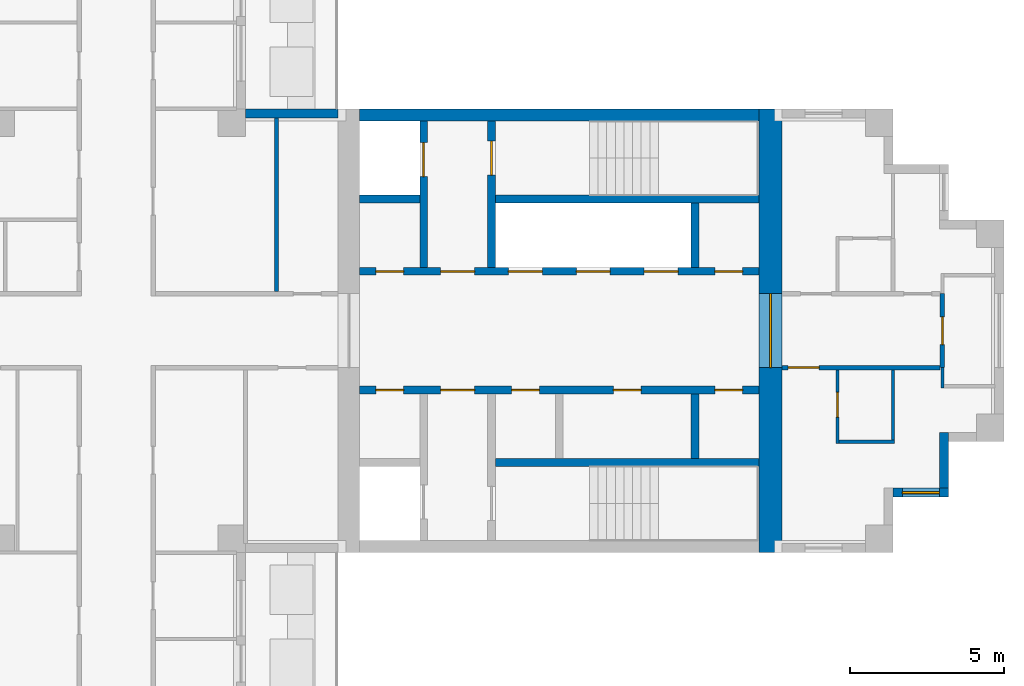
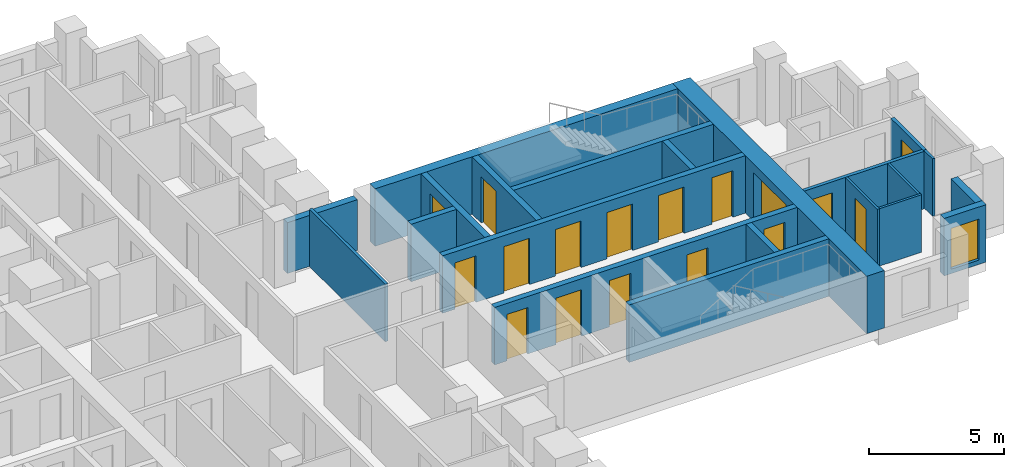
# One storey, part 6 of 10: 21 walls, 17 doors, 1 window, 18 openings.
"""IFC4 building model written with IfcOpenShell, lengths in metres."""

from ifc_helpers import new_model, si_unit, direction, frame, frame_2d, origin, place, context, subcontext, project, spatial, rectangle, extrude, material, layer, layer_set, type_object, element, fill, save


model = new_model("IFC4")

# Units and contexts
model_context = context("Model", 3, precision=1e-05, world=origin(), true_north=direction((0.0, 1.0)))
body_context = subcontext(model_context, "Body", "Model", "MODEL_VIEW")
ifc_project = project(units=[si_unit("LENGTHUNIT", "METRE"), si_unit("AREAUNIT", "SQUARE_METRE"), si_unit("VOLUMEUNIT", "CUBIC_METRE"), si_unit("PLANEANGLEUNIT", "RADIAN"), si_unit("MASSUNIT", "GRAM", prefix="KILO")], contexts=[model_context])

# Site, building, storey
site_placement = place(None, origin())
site = spatial("IfcSite", under=ifc_project, at=site_placement, CompositionType="ELEMENT")
building_placement = place(site_placement, origin())
building = spatial("IfcBuilding", under=site, at=building_placement, Name="Fustian Cross Tower", CompositionType="ELEMENT")
storey_placement = place(building_placement, frame((0.0, 0.0, 231.89990234375)))
storey = spatial("IfcBuildingStorey", under=building, at=storey_placement, Name="L73", CompositionType="ELEMENT", Elevation=231.89990234375)

# Wall, opening, door
ifc_material_1 = material(Name="Plasterboard on steel stud", Category="steel")
ifc_layer_1 = layer(ifc_material_1, 0.14990234375)
ifc_layer_set_1 = layer_set([ifc_layer_1], Name="Plasterboard on steel stud")
wall_type_1 = type_object("IfcWallType", Name="COMPARTMENT WALL 150 EI 60", PredefinedType="PARTITIONING", material=ifc_layer_set_1)
wall_1_placement = place(storey_placement, frame((21.60009765625, -1.199951171875, 0.0), z_axis=(0.0, 0.0, 1.0), x_axis=(1.0, 0.0, 0.0)))
wall_1 = element("IfcWall", 1, at=wall_1_placement, inside=storey, type_object=wall_type_1, Name="Partition 61", PredefinedType="PARTITIONING", context=body_context, shape_type="SweptSolid", body=[
    extrude(rectangle(XDim=5.125, YDim=0.14990234375, at=frame_2d((2.5625, 0.0))), origin(), (0.0, 0.0, 1.0), 2.60009765625),
])
opening_1_placement = place(wall_1_placement, frame((0.199951171875, 0.0, 0.0)))
opening_1 = element("IfcOpeningElement", 2, at=opening_1_placement, cuts=wall_1, Name="Opening D33016", PredefinedType="OPENING", context=body_context, shape_type="SweptSolid", body=[
    extrude(rectangle(XDim=1.0, YDim=2.10009765625, at=frame_2d((0.5, 1.050048828125))), frame((0.0, 0.0849609375, 0.0), z_axis=(0.0, -1.0, 0.0), x_axis=(1.0, 0.0, 0.0)), (0.0, 0.0, 1.0), 0.169921875),
])
ifc_material_2 = material(Name="Timber fire door set", Category="wood")
door_type_1 = type_object("IfcDoorType", Name="FIRE SWING DOOR 1000 FD30S", OperationType="SINGLE_SWING_LEFT", PredefinedType="DOOR", material=ifc_material_2)
door_1_placement = place(opening_1_placement, frame((1.0, 0.0, 0.0), z_axis=(0.0, 0.0, 1.0), x_axis=(-1.0, 0.0, 0.0)))
door_1 = element("IfcDoor", 3, at=door_1_placement, inside=storey, type_object=door_type_1, Name="Door D33016", OperationType="SINGLE_SWING_RIGHT", OverallHeight=2.10009765625, OverallWidth=1.0, PredefinedType="DOOR", context=body_context, shape_type="SweptSolid", body=[
    extrude(rectangle(XDim=1.0, YDim=2.10009765625, at=frame_2d((0.5, 1.050048828125))), frame((0.0, 0.02490234375, 0.0), z_axis=(0.0, -1.0, 0.0), x_axis=(1.0, 0.0, 0.0)), (0.0, 0.0, 1.0), 0.050048828125),
])
fill(opening_1, door_1)

wall_2_placement = place(storey_placement, frame((26.800048828125, -1.199951171875, 0.0), z_axis=(0.0, 0.0, 1.0), x_axis=(0.0, 1.0, 0.0)))
wall_2 = element("IfcWall", 4, at=wall_2_placement, inside=storey, type_object=wall_type_1, Name="Partition 72", PredefinedType="PARTITIONING", context=body_context, shape_type="SweptSolid", body=[
    extrude(rectangle(XDim=2.39990234375, YDim=0.14990234375, at=frame_2d((1.199951171875, 0.0))), origin(), (0.0, 0.0, 1.0), 2.60009765625),
])
opening_2_placement = place(wall_2_placement, frame((0.75, 0.0, 0.0)))
opening_2 = element("IfcOpeningElement", 5, at=opening_2_placement, cuts=wall_2, Name="Opening D33011", PredefinedType="OPENING", context=body_context, shape_type="SweptSolid", body=[
    extrude(rectangle(XDim=0.89990234375, YDim=2.10009765625, at=frame_2d((0.449951171875, 1.050048828125))), frame((0.0, 0.0849609375, 0.0), z_axis=(0.0, -1.0, 0.0), x_axis=(1.0, 0.0, 0.0)), (0.0, 0.0, 1.0), 0.169921875),
])
ifc_material_3 = material(Name="Timber fire door set", Category="wood")
door_type_2 = type_object("IfcDoorType", Name="FIRE SWING DOOR 900 FD30S", OperationType="SINGLE_SWING_LEFT", PredefinedType="DOOR", material=ifc_material_3)
door_2_placement = place(opening_2_placement, frame((0.89990234375, 0.0, 0.0), z_axis=(0.0, 0.0, 1.0), x_axis=(-1.0, 0.0, 0.0)))
door_2 = element("IfcDoor", 6, at=door_2_placement, inside=storey, type_object=door_type_2, Name="Door D33011", OperationType="SINGLE_SWING_RIGHT", OverallHeight=2.10009765625, OverallWidth=0.89990234375, PredefinedType="DOOR", context=body_context, shape_type="SweptSolid", body=[
    extrude(rectangle(XDim=0.89990234375, YDim=2.10009765625, at=frame_2d((0.449951171875, 1.050048828125))), frame((0.0, 0.02490234375, 0.0), z_axis=(0.0, -1.0, 0.0), x_axis=(1.0, 0.0, 0.0)), (0.0, 0.0, 1.0), 0.050048828125),
])
fill(opening_2, door_2)

ifc_material_4 = material(Name="Concrete C50/60", Category="concrete")
ifc_layer_2 = layer(ifc_material_4, 0.75)
ifc_layer_set_2 = layer_set([ifc_layer_2], Name="Concrete C50/60")
wall_type_2 = type_object("IfcWallType", Name="CORE END WALL 750 C50/60", PredefinedType="SHEAR", material=ifc_layer_set_2)
wall_3_placement = place(storey_placement, frame((21.22509765625, -7.199951171875, 0.0), z_axis=(0.0, 0.0, 1.0), x_axis=(0.0, 1.0, 0.0)))
wall_3 = element("IfcWall", 7, at=wall_3_placement, inside=storey, type_object=wall_type_2, Name="Core end wall", PredefinedType="SHEAR", context=body_context, shape_type="SweptSolid", body=[
    extrude(rectangle(XDim=14.39990234375, YDim=0.75, at=frame_2d((7.199951171875, 0.0))), origin(), (0.0, 0.0, 1.0), 2.60009765625),
])
opening_3_placement = place(wall_3_placement, frame((6.0, 0.0, 0.0)))
opening_3 = element("IfcOpeningElement", 8, at=opening_3_placement, cuts=wall_3, Name="Opening CD-28-13", PredefinedType="OPENING", context=body_context, shape_type="SweptSolid", body=[
    extrude(rectangle(XDim=2.39990234375, YDim=2.199951171875, at=frame_2d((1.199951171875, 1.10009765625))), frame((0.0, 0.385009765625, 0.0), z_axis=(0.0, -1.0, 0.0), x_axis=(1.0, 0.0, 0.0)), (0.0, 0.0, 1.0), 0.77001953125),
])
ifc_material_5 = material(Name="Steel", Category="steel")
door_type_3 = type_object("IfcDoorType", Name="FIRE DOOR FD30S DOUBLE 2400X2200", OperationType="DOUBLE_DOOR_DOUBLE_SWING", PredefinedType="DOOR", material=ifc_material_5)
door_3_placement = place(opening_3_placement, origin())
door_3 = element("IfcDoor", 9, at=door_3_placement, inside=storey, type_object=door_type_3, Name="Core door CD-28-13", OperationType="DOUBLE_DOOR_DOUBLE_SWING", OverallHeight=2.199951171875, OverallWidth=2.39990234375, PredefinedType="DOOR", context=body_context, shape_type="SweptSolid", body=[
    extrude(rectangle(XDim=2.39990234375, YDim=2.199951171875, at=frame_2d((1.199951171875, 1.10009765625))), frame((0.0, 0.02490234375, 0.0), z_axis=(0.0, -1.0, 0.0), x_axis=(1.0, 0.0, 0.0)), (0.0, 0.0, 1.0), 0.050048828125),
])
fill(opening_3, door_3)

# Wall
ifc_material_6 = material(Name="Concrete C50/60", Category="concrete")
ifc_layer_3 = layer(ifc_material_6, 0.39990234375)
ifc_layer_set_3 = layer_set([ifc_layer_3], Name="Concrete C50/60")
wall_type_3 = type_object("IfcWallType", Name="CORE FACADE WALL 400 C50/60", PredefinedType="SHEAR", material=ifc_layer_set_3)
wall_4_placement = place(storey_placement, frame((7.89990234375, 7.0, 0.0), z_axis=(0.0, 0.0, 1.0), x_axis=(1.0, 0.0, 0.0)))
element("IfcWall", 10, at=wall_4_placement, inside=storey, type_object=wall_type_3, Name="Core facade wall", PredefinedType="SHEAR", context=body_context, shape_type="SweptSolid", body=[
    extrude(rectangle(XDim=12.9501953125, YDim=0.39990234375, at=frame_2d((6.47509765625, 0.0))), origin(), (0.0, 0.0, 1.0), 2.60009765625),
])

# Wall, openings, doors
ifc_material_7 = material(Name="Concrete C50/60", Category="concrete")
ifc_layer_4 = layer(ifc_material_7, 0.25)
ifc_layer_set_4 = layer_set([ifc_layer_4], Name="Concrete C50/60")
wall_type_4 = type_object("IfcWallType", Name="CORE LOBBY WALL 250 C50/60", PredefinedType="SHEAR", material=ifc_layer_set_4)
wall_5_placement = place(storey_placement, frame((7.89990234375, 1.925048828125, 0.0), z_axis=(0.0, 0.0, 1.0), x_axis=(1.0, 0.0, 0.0)))
wall_5 = element("IfcWall", 11, at=wall_5_placement, inside=storey, type_object=wall_type_4, Name="Core lobby wall", PredefinedType="SHEAR", context=body_context, shape_type="SweptSolid", body=[
    extrude(rectangle(XDim=12.9501953125, YDim=0.25, at=frame_2d((6.47509765625, 0.0))), origin(), (0.0, 0.0, 1.0), 2.60009765625),
])
opening_4_placement = place(wall_5_placement, frame((4.824951171875, 0.0, 0.0)))
opening_4 = element("IfcOpeningElement", 12, at=opening_4_placement, cuts=wall_5, Name="Opening LD", PredefinedType="OPENING", context=body_context, shape_type="SweptSolid", body=[
    extrude(rectangle(XDim=1.10009765625, YDim=2.10009765625, at=frame_2d((0.550048828125, 1.050048828125))), frame((0.0, 0.135009765625, 0.0), z_axis=(0.0, -1.0, 0.0), x_axis=(1.0, 0.0, 0.0)), (0.0, 0.0, 1.0), 0.27001953125),
])
opening_5_placement = place(wall_5_placement, frame((7.02490234375, 0.0, 0.0)))
opening_5 = element("IfcOpeningElement", 13, at=opening_5_placement, cuts=wall_5, Name="Opening LD", PredefinedType="OPENING", context=body_context, shape_type="SweptSolid", body=[
    extrude(rectangle(XDim=1.10009765625, YDim=2.10009765625, at=frame_2d((0.550048828125, 1.050048828125))), frame((0.0, 0.135009765625, 0.0), z_axis=(0.0, -1.0, 0.0), x_axis=(1.0, 0.0, 0.0)), (0.0, 0.0, 1.0), 0.27001953125),
])
opening_6_placement = place(wall_5_placement, frame((9.22509765625, 0.0, 0.0)))
opening_6 = element("IfcOpeningElement", 14, at=opening_6_placement, cuts=wall_5, Name="Opening LD", PredefinedType="OPENING", context=body_context, shape_type="SweptSolid", body=[
    extrude(rectangle(XDim=1.10009765625, YDim=2.10009765625, at=frame_2d((0.550048828125, 1.050048828125))), frame((0.0, 0.135009765625, 0.0), z_axis=(0.0, -1.0, 0.0), x_axis=(1.0, 0.0, 0.0)), (0.0, 0.0, 1.0), 0.27001953125),
])
opening_7_placement = place(wall_5_placement, frame((0.52490234375, 0.0, 0.0)))
opening_7 = element("IfcOpeningElement", 15, at=opening_7_placement, cuts=wall_5, Name="Opening CD-28-08", PredefinedType="OPENING", context=body_context, shape_type="SweptSolid", body=[
    extrude(rectangle(XDim=0.89990234375, YDim=2.10009765625, at=frame_2d((0.449951171875, 1.050048828125))), frame((0.0, 0.135009765625, 0.0), z_axis=(0.0, -1.0, 0.0), x_axis=(1.0, 0.0, 0.0)), (0.0, 0.0, 1.0), 0.27001953125),
])
opening_8_placement = place(wall_5_placement, frame((2.625, 0.0, 0.0)))
opening_8 = element("IfcOpeningElement", 16, at=opening_8_placement, cuts=wall_5, Name="Opening CD-28-10", PredefinedType="OPENING", context=body_context, shape_type="SweptSolid", body=[
    extrude(rectangle(XDim=1.10009765625, YDim=2.10009765625, at=frame_2d((0.550048828125, 1.050048828125))), frame((0.0, 0.135009765625, 0.0), z_axis=(0.0, -1.0, 0.0), x_axis=(1.0, 0.0, 0.0)), (0.0, 0.0, 1.0), 0.27001953125),
])
opening_9_placement = place(wall_5_placement, frame((11.52490234375, 0.0, 0.0)))
opening_9 = element("IfcOpeningElement", 17, at=opening_9_placement, cuts=wall_5, Name="Opening CD-28-14", PredefinedType="OPENING", context=body_context, shape_type="SweptSolid", body=[
    extrude(rectangle(XDim=0.89990234375, YDim=2.10009765625, at=frame_2d((0.449951171875, 1.050048828125))), frame((0.0, 0.135009765625, 0.0), z_axis=(0.0, -1.0, 0.0), x_axis=(1.0, 0.0, 0.0)), (0.0, 0.0, 1.0), 0.27001953125),
])
ifc_material_8 = material(Name="Steel", Category="steel")
door_type_4 = type_object("IfcDoorType", Name="FIRE DOOR FD30S 900X2100", OperationType="SINGLE_SWING_LEFT", PredefinedType="DOOR", material=ifc_material_8)
door_4_placement = place(opening_9_placement, origin())
door_4 = element("IfcDoor", 18, at=door_4_placement, inside=storey, type_object=door_type_4, Name="Core door CD-28-14", OperationType="SINGLE_SWING_LEFT", OverallHeight=2.10009765625, OverallWidth=0.89990234375, PredefinedType="DOOR", context=body_context, shape_type="SweptSolid", body=[
    extrude(rectangle(XDim=0.89990234375, YDim=2.10009765625, at=frame_2d((0.449951171875, 1.050048828125))), frame((0.0, 0.02490234375, 0.0), z_axis=(0.0, -1.0, 0.0), x_axis=(1.0, 0.0, 0.0)), (0.0, 0.0, 1.0), 0.050048828125),
])
fill(opening_9, door_4)
ifc_material_9 = material(Name="Steel", Category="steel")
door_type_5 = type_object("IfcDoorType", Name="FIRE DOOR FD60S 1100X2100", OperationType="SINGLE_SWING_LEFT", PredefinedType="DOOR", material=ifc_material_9)
door_5_placement = place(opening_8_placement, frame((1.10009765625, 0.0, 0.0), z_axis=(0.0, 0.0, 1.0), x_axis=(-1.0, 0.0, 0.0)))
door_5 = element("IfcDoor", 19, at=door_5_placement, inside=storey, type_object=door_type_5, Name="Core door CD-28-10", OperationType="SINGLE_SWING_RIGHT", OverallHeight=2.10009765625, OverallWidth=1.10009765625, PredefinedType="DOOR", context=body_context, shape_type="SweptSolid", body=[
    extrude(rectangle(XDim=1.10009765625, YDim=2.10009765625, at=frame_2d((0.550048828125, 1.050048828125))), frame((0.0, 0.02490234375, 0.0), z_axis=(0.0, -1.0, 0.0), x_axis=(1.0, 0.0, 0.0)), (0.0, 0.0, 1.0), 0.050048828125),
])
fill(opening_8, door_5)
ifc_material_10 = material(Name="Steel", Category="steel")
door_type_6 = type_object("IfcDoorType", Name="FIRE DOOR FD60S 900X2100", OperationType="SINGLE_SWING_LEFT", PredefinedType="DOOR", material=ifc_material_10)
door_6_placement = place(opening_7_placement, origin())
door_6 = element("IfcDoor", 20, at=door_6_placement, inside=storey, type_object=door_type_6, Name="Core door CD-28-08", OperationType="SINGLE_SWING_LEFT", OverallHeight=2.10009765625, OverallWidth=0.89990234375, PredefinedType="DOOR", context=body_context, shape_type="SweptSolid", body=[
    extrude(rectangle(XDim=0.89990234375, YDim=2.10009765625, at=frame_2d((0.449951171875, 1.050048828125))), frame((0.0, 0.02490234375, 0.0), z_axis=(0.0, -1.0, 0.0), x_axis=(1.0, 0.0, 0.0)), (0.0, 0.0, 1.0), 0.050048828125),
])
fill(opening_7, door_6)
ifc_material_11 = material(Name="Stainless steel", Category="steel")
door_type_7 = type_object("IfcDoorType", Name="LIFT LANDING DOOR 1100X2100", OperationType="SLIDING_TO_LEFT", PredefinedType="DOOR", material=ifc_material_11)
door_7_placement = place(opening_4_placement, origin())
door_7 = element("IfcDoor", 21, at=door_7_placement, inside=storey, type_object=door_type_7, Name="Landing door HR1", OperationType="SLIDING_TO_LEFT", OverallHeight=2.10009765625, OverallWidth=1.10009765625, PredefinedType="DOOR", context=body_context, shape_type="SweptSolid", body=[
    extrude(rectangle(XDim=1.10009765625, YDim=2.10009765625, at=frame_2d((0.550048828125, 1.050048828125))), frame((0.0, 0.02490234375, 0.0), z_axis=(0.0, -1.0, 0.0), x_axis=(1.0, 0.0, 0.0)), (0.0, 0.0, 1.0), 0.050048828125),
])
fill(opening_4, door_7)
door_8_placement = place(opening_5_placement, origin())
door_8 = element("IfcDoor", 22, at=door_8_placement, inside=storey, type_object=door_type_7, Name="Landing door HR2", OperationType="SLIDING_TO_LEFT", OverallHeight=2.10009765625, OverallWidth=1.10009765625, PredefinedType="DOOR", context=body_context, shape_type="SweptSolid", body=[
    extrude(rectangle(XDim=1.10009765625, YDim=2.10009765625, at=frame_2d((0.550048828125, 1.050048828125))), frame((0.0, 0.02490234375, 0.0), z_axis=(0.0, -1.0, 0.0), x_axis=(1.0, 0.0, 0.0)), (0.0, 0.0, 1.0), 0.050048828125),
])
fill(opening_5, door_8)
door_9_placement = place(opening_6_placement, origin())
door_9 = element("IfcDoor", 23, at=door_9_placement, inside=storey, type_object=door_type_7, Name="Landing door HR3", OperationType="SLIDING_TO_LEFT", OverallHeight=2.10009765625, OverallWidth=1.10009765625, PredefinedType="DOOR", context=body_context, shape_type="SweptSolid", body=[
    extrude(rectangle(XDim=1.10009765625, YDim=2.10009765625, at=frame_2d((0.550048828125, 1.050048828125))), frame((0.0, 0.02490234375, 0.0), z_axis=(0.0, -1.0, 0.0), x_axis=(1.0, 0.0, 0.0)), (0.0, 0.0, 1.0), 0.050048828125),
])
fill(opening_6, door_9)

wall_6_placement = place(storey_placement, frame((7.89990234375, -1.925048828125, 0.0), z_axis=(0.0, 0.0, 1.0), x_axis=(1.0, 0.0, 0.0)))
wall_6 = element("IfcWall", 24, at=wall_6_placement, inside=storey, type_object=wall_type_4, Name="Core lobby wall", PredefinedType="SHEAR", context=body_context, shape_type="SweptSolid", body=[
    extrude(rectangle(XDim=12.9501953125, YDim=0.25, at=frame_2d((6.47509765625, 0.0))), origin(), (0.0, 0.0, 1.0), 2.60009765625),
])
opening_10_placement = place(wall_6_placement, frame((0.52490234375, 0.0, 0.0)))
opening_10 = element("IfcOpeningElement", 25, at=opening_10_placement, cuts=wall_6, Name="Opening CD-28-09", PredefinedType="OPENING", context=body_context, shape_type="SweptSolid", body=[
    extrude(rectangle(XDim=0.89990234375, YDim=2.10009765625, at=frame_2d((0.449951171875, 1.050048828125))), frame((0.0, 0.135009765625, 0.0), z_axis=(0.0, -1.0, 0.0), x_axis=(1.0, 0.0, 0.0)), (0.0, 0.0, 1.0), 0.27001953125),
])
opening_11_placement = place(wall_6_placement, frame((2.625, 0.0, 0.0)))
opening_11 = element("IfcOpeningElement", 26, at=opening_11_placement, cuts=wall_6, Name="Opening CD-28-11", PredefinedType="OPENING", context=body_context, shape_type="SweptSolid", body=[
    extrude(rectangle(XDim=1.10009765625, YDim=2.10009765625, at=frame_2d((0.550048828125, 1.050048828125))), frame((0.0, 0.135009765625, 0.0), z_axis=(0.0, -1.0, 0.0), x_axis=(1.0, 0.0, 0.0)), (0.0, 0.0, 1.0), 0.27001953125),
])
opening_12_placement = place(wall_6_placement, frame((4.925048828125, 0.0, 0.0)))
opening_12 = element("IfcOpeningElement", 27, at=opening_12_placement, cuts=wall_6, Name="Opening CD-28-15", PredefinedType="OPENING", context=body_context, shape_type="SweptSolid", body=[
    extrude(rectangle(XDim=0.89990234375, YDim=2.10009765625, at=frame_2d((0.449951171875, 1.050048828125))), frame((0.0, 0.135009765625, 0.0), z_axis=(0.0, -1.0, 0.0), x_axis=(1.0, 0.0, 0.0)), (0.0, 0.0, 1.0), 0.27001953125),
])
opening_13_placement = place(wall_6_placement, frame((8.22509765625, 0.0, 0.0)))
opening_13 = element("IfcOpeningElement", 28, at=opening_13_placement, cuts=wall_6, Name="Opening CD-28-16", PredefinedType="OPENING", context=body_context, shape_type="SweptSolid", body=[
    extrude(rectangle(XDim=0.89990234375, YDim=2.10009765625, at=frame_2d((0.449951171875, 1.050048828125))), frame((0.0, 0.135009765625, 0.0), z_axis=(0.0, -1.0, 0.0), x_axis=(1.0, 0.0, 0.0)), (0.0, 0.0, 1.0), 0.27001953125),
])
opening_14_placement = place(wall_6_placement, frame((11.52490234375, 0.0, 0.0)))
opening_14 = element("IfcOpeningElement", 29, at=opening_14_placement, cuts=wall_6, Name="Opening CD-28-17", PredefinedType="OPENING", context=body_context, shape_type="SweptSolid", body=[
    extrude(rectangle(XDim=0.89990234375, YDim=2.10009765625, at=frame_2d((0.449951171875, 1.050048828125))), frame((0.0, 0.135009765625, 0.0), z_axis=(0.0, -1.0, 0.0), x_axis=(1.0, 0.0, 0.0)), (0.0, 0.0, 1.0), 0.27001953125),
])
ifc_material_12 = material(Name="Steel", Category="steel")
door_type_8 = type_object("IfcDoorType", Name="FIRE DOOR FD30S 1100X2100", OperationType="SINGLE_SWING_LEFT", PredefinedType="DOOR", material=ifc_material_12)
door_10_placement = place(opening_11_placement, frame((1.10009765625, 0.0, 0.0), z_axis=(0.0, 0.0, 1.0), x_axis=(-1.0, 0.0, 0.0)))
door_10 = element("IfcDoor", 30, at=door_10_placement, inside=storey, type_object=door_type_8, Name="Core door CD-28-11", OperationType="SINGLE_SWING_RIGHT", OverallHeight=2.10009765625, OverallWidth=1.10009765625, PredefinedType="DOOR", context=body_context, shape_type="SweptSolid", body=[
    extrude(rectangle(XDim=1.10009765625, YDim=2.10009765625, at=frame_2d((0.550048828125, 1.050048828125))), frame((0.0, 0.02490234375, 0.0), z_axis=(0.0, -1.0, 0.0), x_axis=(1.0, 0.0, 0.0)), (0.0, 0.0, 1.0), 0.050048828125),
])
fill(opening_11, door_10)
door_11_placement = place(opening_10_placement, frame((0.89990234375, 0.0, 0.0), z_axis=(0.0, 0.0, 1.0), x_axis=(-1.0, 0.0, 0.0)))
door_11 = element("IfcDoor", 31, at=door_11_placement, inside=storey, type_object=door_type_4, Name="Core door CD-28-09", OperationType="SINGLE_SWING_RIGHT", OverallHeight=2.10009765625, OverallWidth=0.89990234375, PredefinedType="DOOR", context=body_context, shape_type="SweptSolid", body=[
    extrude(rectangle(XDim=0.89990234375, YDim=2.10009765625, at=frame_2d((0.449951171875, 1.050048828125))), frame((0.0, 0.02490234375, 0.0), z_axis=(0.0, -1.0, 0.0), x_axis=(1.0, 0.0, 0.0)), (0.0, 0.0, 1.0), 0.050048828125),
])
fill(opening_10, door_11)
door_12_placement = place(opening_12_placement, frame((0.89990234375, 0.0, 0.0), z_axis=(0.0, 0.0, 1.0), x_axis=(-1.0, 0.0, 0.0)))
door_12 = element("IfcDoor", 32, at=door_12_placement, inside=storey, type_object=door_type_4, Name="Core door CD-28-15", OperationType="SINGLE_SWING_RIGHT", OverallHeight=2.10009765625, OverallWidth=0.89990234375, PredefinedType="DOOR", context=body_context, shape_type="SweptSolid", body=[
    extrude(rectangle(XDim=0.89990234375, YDim=2.10009765625, at=frame_2d((0.449951171875, 1.050048828125))), frame((0.0, 0.02490234375, 0.0), z_axis=(0.0, -1.0, 0.0), x_axis=(1.0, 0.0, 0.0)), (0.0, 0.0, 1.0), 0.050048828125),
])
fill(opening_12, door_12)
door_13_placement = place(opening_13_placement, frame((0.89990234375, 0.0, 0.0), z_axis=(0.0, 0.0, 1.0), x_axis=(-1.0, 0.0, 0.0)))
door_13 = element("IfcDoor", 33, at=door_13_placement, inside=storey, type_object=door_type_4, Name="Core door CD-28-16", OperationType="SINGLE_SWING_LEFT", OverallHeight=2.10009765625, OverallWidth=0.89990234375, PredefinedType="DOOR", context=body_context, shape_type="SweptSolid", body=[
    extrude(rectangle(XDim=0.89990234375, YDim=2.10009765625, at=frame_2d((0.449951171875, 1.050048828125))), frame((0.0, 0.02490234375, 0.0), z_axis=(0.0, -1.0, 0.0), x_axis=(1.0, 0.0, 0.0)), (0.0, 0.0, 1.0), 0.050048828125),
])
fill(opening_13, door_13)
door_14_placement = place(opening_14_placement, frame((0.89990234375, 0.0, 0.0), z_axis=(0.0, 0.0, 1.0), x_axis=(-1.0, 0.0, 0.0)))
door_14 = element("IfcDoor", 34, at=door_14_placement, inside=storey, type_object=door_type_4, Name="Core door CD-28-17", OperationType="SINGLE_SWING_RIGHT", OverallHeight=2.10009765625, OverallWidth=0.89990234375, PredefinedType="DOOR", context=body_context, shape_type="SweptSolid", body=[
    extrude(rectangle(XDim=0.89990234375, YDim=2.10009765625, at=frame_2d((0.449951171875, 1.050048828125))), frame((0.0, 0.02490234375, 0.0), z_axis=(0.0, -1.0, 0.0), x_axis=(1.0, 0.0, 0.0)), (0.0, 0.0, 1.0), 0.050048828125),
])
fill(opening_14, door_14)

# Walls
ifc_material_13 = material(Name="Concrete C50/60", Category="concrete")
ifc_layer_5 = layer(ifc_material_13, 0.25)
ifc_layer_set_5 = layer_set([ifc_layer_5], Name="Concrete C50/60")
wall_type_5 = type_object("IfcWallType", Name="CORE SHAFT WALL 250 C50/60", PredefinedType="SHEAR", material=ifc_layer_set_5)
wall_7_placement = place(storey_placement, frame((7.89990234375, 4.27490234375, 0.0), z_axis=(0.0, 0.0, 1.0), x_axis=(1.0, 0.0, 0.0)))
element("IfcWall", 35, at=wall_7_placement, inside=storey, type_object=wall_type_5, Name="Core shaft wall", PredefinedType="SHEAR", context=body_context, shape_type="SweptSolid", body=[
    extrude(rectangle(XDim=1.9501953125, YDim=0.25, at=frame_2d((0.97509765625, 0.0))), origin(), (0.0, 0.0, 1.0), 2.60009765625),
])
wall_8_placement = place(storey_placement, frame((12.300048828125, 4.27490234375, 0.0), z_axis=(0.0, 0.0, 1.0), x_axis=(1.0, 0.0, 0.0)))
element("IfcWall", 36, at=wall_8_placement, inside=storey, type_object=wall_type_5, Name="Core shaft wall", PredefinedType="SHEAR", context=body_context, shape_type="SweptSolid", body=[
    extrude(rectangle(XDim=8.550048828125, YDim=0.25, at=frame_2d((4.27490234375, 0.0))), origin(), (0.0, 0.0, 1.0), 2.60009765625),
])

# Wall, opening, door
wall_9_placement = place(storey_placement, frame((9.97509765625, 2.050048828125, 0.0), z_axis=(0.0, 0.0, 1.0), x_axis=(0.0, 1.0, 0.0)))
wall_9 = element("IfcWall", 37, at=wall_9_placement, inside=storey, type_object=wall_type_5, Name="Core shaft wall", PredefinedType="SHEAR", context=body_context, shape_type="SweptSolid", body=[
    extrude(rectangle(XDim=4.75, YDim=0.25, at=frame_2d((2.375, 0.0))), origin(), (0.0, 0.0, 1.0), 2.60009765625),
])
opening_15_placement = place(wall_9_placement, frame((2.949951171875, 0.0, 0.0)))
opening_15 = element("IfcOpeningElement", 38, at=opening_15_placement, cuts=wall_9, Name="Opening LD", PredefinedType="OPENING", context=body_context, shape_type="SweptSolid", body=[
    extrude(rectangle(XDim=1.10009765625, YDim=2.10009765625, at=frame_2d((0.550048828125, 1.050048828125))), frame((0.0, 0.135009765625, 0.0), z_axis=(0.0, -1.0, 0.0), x_axis=(1.0, 0.0, 0.0)), (0.0, 0.0, 1.0), 0.27001953125),
])
door_15_placement = place(opening_15_placement, origin())
door_15 = element("IfcDoor", 39, at=door_15_placement, inside=storey, type_object=door_type_7, Name="Landing door FL1", OperationType="SLIDING_TO_LEFT", OverallHeight=2.10009765625, OverallWidth=1.10009765625, PredefinedType="DOOR", context=body_context, shape_type="SweptSolid", body=[
    extrude(rectangle(XDim=1.10009765625, YDim=2.10009765625, at=frame_2d((0.550048828125, 1.050048828125))), frame((0.0, 0.02490234375, 0.0), z_axis=(0.0, -1.0, 0.0), x_axis=(1.0, 0.0, 0.0)), (0.0, 0.0, 1.0), 0.050048828125),
])
fill(opening_15, door_15)

wall_10_placement = place(storey_placement, frame((12.175048828125, 2.050048828125, 0.0), z_axis=(0.0, 0.0, 1.0), x_axis=(0.0, 1.0, 0.0)))
wall_10 = element("IfcWall", 40, at=wall_10_placement, inside=storey, type_object=wall_type_5, Name="Core shaft wall", PredefinedType="SHEAR", context=body_context, shape_type="SweptSolid", body=[
    extrude(rectangle(XDim=4.75, YDim=0.25, at=frame_2d((2.375, 0.0))), origin(), (0.0, 0.0, 1.0), 2.60009765625),
])
opening_16_placement = place(wall_10_placement, frame((3.0, 0.0, 0.0)))
opening_16 = element("IfcOpeningElement", 41, at=opening_16_placement, cuts=wall_10, Name="Opening CD-28-06", PredefinedType="OPENING", context=body_context, shape_type="SweptSolid", body=[
    extrude(rectangle(XDim=1.10009765625, YDim=2.10009765625, at=frame_2d((0.550048828125, 1.050048828125))), frame((0.0, 0.135009765625, 0.0), z_axis=(0.0, -1.0, 0.0), x_axis=(1.0, 0.0, 0.0)), (0.0, 0.0, 1.0), 0.27001953125),
])
door_16_placement = place(opening_16_placement, frame((1.10009765625, 0.0, 0.0), z_axis=(0.0, 0.0, 1.0), x_axis=(-1.0, 0.0, 0.0)))
door_16 = element("IfcDoor", 42, at=door_16_placement, inside=storey, type_object=door_type_5, Name="Core door CD-28-06", OperationType="SINGLE_SWING_RIGHT", OverallHeight=2.10009765625, OverallWidth=1.10009765625, PredefinedType="DOOR", context=body_context, shape_type="SweptSolid", body=[
    extrude(rectangle(XDim=1.10009765625, YDim=2.10009765625, at=frame_2d((0.550048828125, 1.050048828125))), frame((0.0, 0.02490234375, 0.0), z_axis=(0.0, -1.0, 0.0), x_axis=(1.0, 0.0, 0.0)), (0.0, 0.0, 1.0), 0.050048828125),
])
fill(opening_16, door_16)

# Wall
wall_11_placement = place(storey_placement, frame((12.300048828125, -4.27490234375, 0.0), z_axis=(0.0, 0.0, 1.0), x_axis=(1.0, 0.0, 0.0)))
element("IfcWall", 43, at=wall_11_placement, inside=storey, type_object=wall_type_5, Name="Core shaft wall", PredefinedType="SHEAR", context=body_context, shape_type="SweptSolid", body=[
    extrude(rectangle(XDim=8.550048828125, YDim=0.25, at=frame_2d((4.27490234375, 0.0))), origin(), (0.0, 0.0, 1.0), 2.60009765625),
])

# Wall, opening, door
ifc_material_14 = material(Name="Plasterboard on steel stud", Category="steel")
ifc_layer_6 = layer(ifc_material_14, 0.10009765625)
ifc_layer_set_6 = layer_set([ifc_layer_6], Name="Plasterboard on steel stud")
wall_type_6 = type_object("IfcWallType", Name="PARTITION 100 STUD", PredefinedType="PARTITIONING", material=ifc_layer_set_6)
wall_12_placement = place(storey_placement, frame((23.39990234375, -3.64990234375, 0.0), z_axis=(0.0, 0.0, 1.0), x_axis=(0.0, 1.0, 0.0)))
wall_12 = element("IfcWall", 44, at=wall_12_placement, inside=storey, type_object=wall_type_6, Name="Partition 63", PredefinedType="PARTITIONING", context=body_context, shape_type="SweptSolid", body=[
    extrude(rectangle(XDim=2.375, YDim=0.10009765625, at=frame_2d((1.1875, 0.0))), origin(), (0.0, 0.0, 1.0), 2.60009765625),
])
opening_17_placement = place(wall_12_placement, frame((0.85009765625, 0.0, 0.0)))
opening_17 = element("IfcOpeningElement", 45, at=opening_17_placement, cuts=wall_12, Name="Opening D33015", PredefinedType="OPENING", context=body_context, shape_type="SweptSolid", body=[
    extrude(rectangle(XDim=0.800048828125, YDim=2.10009765625, at=frame_2d((0.39990234375, 1.050048828125))), frame((0.0, 0.06005859375, 0.0), z_axis=(0.0, -1.0, 0.0), x_axis=(1.0, 0.0, 0.0)), (0.0, 0.0, 1.0), 0.1201171875),
])
ifc_material_15 = material(Name="Painted timber", Category="wood")
door_type_9 = type_object("IfcDoorType", Name="SWING DOOR 800", OperationType="SINGLE_SWING_LEFT", PredefinedType="DOOR", material=ifc_material_15)
door_17_placement = place(opening_17_placement, frame((0.800048828125, 0.0, 0.0), z_axis=(0.0, 0.0, 1.0), x_axis=(-1.0, 0.0, 0.0)))
door_17 = element("IfcDoor", 46, at=door_17_placement, inside=storey, type_object=door_type_9, Name="Door D33015", OperationType="SINGLE_SWING_RIGHT", OverallHeight=2.10009765625, OverallWidth=0.800048828125, PredefinedType="DOOR", context=body_context, shape_type="SweptSolid", body=[
    extrude(rectangle(XDim=0.800048828125, YDim=2.10009765625, at=frame_2d((0.39990234375, 1.050048828125))), frame((0.0, 0.02490234375, 0.0), z_axis=(0.0, -1.0, 0.0), x_axis=(1.0, 0.0, 0.0)), (0.0, 0.0, 1.0), 0.050048828125),
])
fill(opening_17, door_17)

# Walls
wall_13_placement = place(storey_placement, frame((23.449951171875, -3.60009765625, 0.0), z_axis=(0.0, 0.0, 1.0), x_axis=(1.0, 0.0, 0.0)))
element("IfcWall", 47, at=wall_13_placement, inside=storey, type_object=wall_type_6, Name="Partition 64", PredefinedType="PARTITIONING", context=body_context, shape_type="SweptSolid", body=[
    extrude(rectangle(XDim=1.800048828125, YDim=0.10009765625, at=frame_2d((0.89990234375, 0.0))), origin(), (0.0, 0.0, 1.0), 2.60009765625),
])
wall_14_placement = place(storey_placement, frame((25.199951171875, -3.550048828125, 0.0), z_axis=(0.0, 0.0, 1.0), x_axis=(0.0, 1.0, 0.0)))
element("IfcWall", 48, at=wall_14_placement, inside=storey, type_object=wall_type_6, Name="Partition 67", PredefinedType="PARTITIONING", context=body_context, shape_type="SweptSolid", body=[
    extrude(rectangle(XDim=2.275146484375, YDim=0.10009765625, at=frame_2d((1.1376953125, 0.0))), origin(), (0.0, 0.0, 1.0), 2.60009765625),
])
wall_15_placement = place(storey_placement, frame((26.800048828125, -1.85009765625, 0.0), z_axis=(0.0, 0.0, 1.0), x_axis=(0.0, 1.0, 0.0)))
element("IfcWall", 49, at=wall_15_placement, inside=storey, type_object=wall_type_6, Name="Partition 70", PredefinedType="PARTITIONING", context=body_context, shape_type="SweptSolid", body=[
    extrude(rectangle(XDim=0.650146484375, YDim=0.10009765625, at=frame_2d((0.3251953125, 0.0))), origin(), (0.0, 0.0, 1.0), 2.60009765625),
])
ifc_material_16 = material(Name="Concrete C40/50", Category="concrete")
ifc_layer_7 = layer(ifc_material_16, 0.25)
ifc_layer_set_7 = layer_set([ifc_layer_7], Name="Concrete C40/50")
wall_type_7 = type_object("IfcWallType", Name="SHAFT PARTITION WALL 250 C40/50", PredefinedType="PARTITIONING", material=ifc_layer_set_7)
for number, where, z_axis, x_axis, name in (
    (50, (18.77490234375, 2.050048828125, 0.0), (0.0, 0.0, 1.0), (0.0, 1.0, 0.0), "Core shaft wall"),
    (51, (18.77490234375, -2.050048828125, 0.0), (0.0, 0.0, 1.0), (0.0, -1.0, 0.0), "Core shaft wall"),
):
    element("IfcWall", number, at=place(storey_placement, frame(where, z_axis=z_axis, x_axis=x_axis)), inside=storey, type_object=wall_type_7, Name=name, PredefinedType="PARTITIONING", context=body_context, shape_type="SweptSolid", body=[
        extrude(rectangle(XDim=2.099853515625, YDim=0.25, at=frame_2d((1.0498046875, 0.0))), origin(), (0.0, 0.0, 1.0), 2.60009765625),
    ])
ifc_material_17 = material(Name="Plasterboard on steel stud", Category="steel")
ifc_layer_8 = layer(ifc_material_17, 0.125)
ifc_layer_set_8 = layer_set([ifc_layer_8], Name="Plasterboard on steel stud")
wall_type_8 = type_object("IfcWallType", Name="WET WALL 125 STUD", PredefinedType="PARTITIONING", material=ifc_layer_set_8)
wall_16_placement = place(storey_placement, frame((5.199951171875, 1.27490234375, 0.0), z_axis=(0.0, 0.0, 1.0), x_axis=(0.0, 1.0, 0.0)))
element("IfcWall", 52, at=wall_16_placement, inside=storey, type_object=wall_type_8, Name="Partition 60", PredefinedType="PARTITIONING", context=body_context, shape_type="SweptSolid", body=[
    extrude(rectangle(XDim=5.625, YDim=0.125, at=frame_2d((2.8125, 0.0))), origin(), (0.0, 0.0, 1.0), 2.60009765625),
])

# Wall, opening, window
ifc_material_18 = material(Name="Dark aluminium cladding on insulated backing wall", Category="aluminium")
ifc_layer_9 = layer(ifc_material_18, 0.300048828125)
ifc_layer_set_9 = layer_set([ifc_layer_9], Name="Dark aluminium cladding on insulated backing wall")
wall_type_9 = type_object("IfcWallType", Name="XW1 EXTERNAL WALL 300", PredefinedType="SOLIDWALL", material=ifc_layer_set_9)
wall_17_placement = place(storey_placement, frame((25.199951171875, -5.25, 0.0), z_axis=(0.0, 0.0, 1.0), x_axis=(1.0, 0.0, 0.0)))
wall_17 = element("IfcWall", 53, at=wall_17_placement, inside=storey, type_object=wall_type_9, Name="External wall", PredefinedType="SOLIDWALL", context=body_context, shape_type="SweptSolid", body=[
    extrude(rectangle(XDim=1.800048828125, YDim=0.300048828125, at=frame_2d((0.89990234375, 0.0))), origin(), (0.0, 0.0, 1.0), 2.60009765625),
])
opening_18_placement = place(wall_17_placement, frame((0.300048828125, 0.0, 0.199951171875)))
opening_18 = element("IfcOpeningElement", 54, at=opening_18_placement, cuts=wall_17, Name="Opening WN3", PredefinedType="OPENING", context=body_context, shape_type="SweptSolid", body=[
    extrude(rectangle(XDim=1.199951171875, YDim=1.85009765625, at=frame_2d((0.60009765625, 0.925048828125))), frame((0.0, 0.159912109375, 0.0), z_axis=(0.0, -1.0, 0.0), x_axis=(1.0, 0.0, 0.0)), (0.0, 0.0, 1.0), 0.320068359375),
])
ifc_material_19 = material(Name="Dark anodised aluminium and double glazing", Category="aluminium")
window_type = type_object("IfcWindowType", Name="WN3 WINDOW 1200X1850", PartitioningType="SINGLE_PANEL", PredefinedType="WINDOW", material=ifc_material_19)
window_placement = place(opening_18_placement, origin())
window = element("IfcWindow", 55, at=window_placement, inside=storey, type_object=window_type, Name="Window", OverallHeight=1.85009765625, OverallWidth=1.199951171875, PartitioningType="SINGLE_PANEL", PredefinedType="WINDOW", context=body_context, shape_type="SweptSolid", body=[
    extrude(rectangle(XDim=1.199951171875, YDim=1.85009765625, at=frame_2d((0.60009765625, 0.925048828125))), frame((0.0, 0.030029296875, 0.0), z_axis=(0.0, -1.0, 0.0), x_axis=(1.0, 0.0, 0.0)), (0.0, 0.0, 1.0), 0.06005859375),
])
fill(opening_18, window)

# Walls
wall_18_placement = place(storey_placement, frame((26.85009765625, -5.10009765625, 0.0), z_axis=(0.0, 0.0, 1.0), x_axis=(0.0, 1.0, 0.0)))
element("IfcWall", 56, at=wall_18_placement, inside=storey, type_object=wall_type_9, Name="External wall", PredefinedType="SOLIDWALL", context=body_context, shape_type="SweptSolid", body=[
    extrude(rectangle(XDim=1.800048828125, YDim=0.300048828125, at=frame_2d((0.89990234375, 0.0))), origin(), (0.0, 0.0, 1.0), 2.60009765625),
])
wall_19_placement = place(storey_placement, frame((7.199951171875, 7.050048828125, 0.0), z_axis=(0.0, 0.0, 1.0), x_axis=(-1.0, 0.0, 0.0)))
element("IfcWall", 57, at=wall_19_placement, inside=storey, type_object=wall_type_9, Name="External wall", PredefinedType="SOLIDWALL", context=body_context, shape_type="SweptSolid", body=[
    extrude(rectangle(XDim=3.0, YDim=0.300048828125, at=frame_2d((1.5, 0.0))), origin(), (0.0, 0.0, 1.0), 2.300048828125),
])

save(model, "model.ifc")
